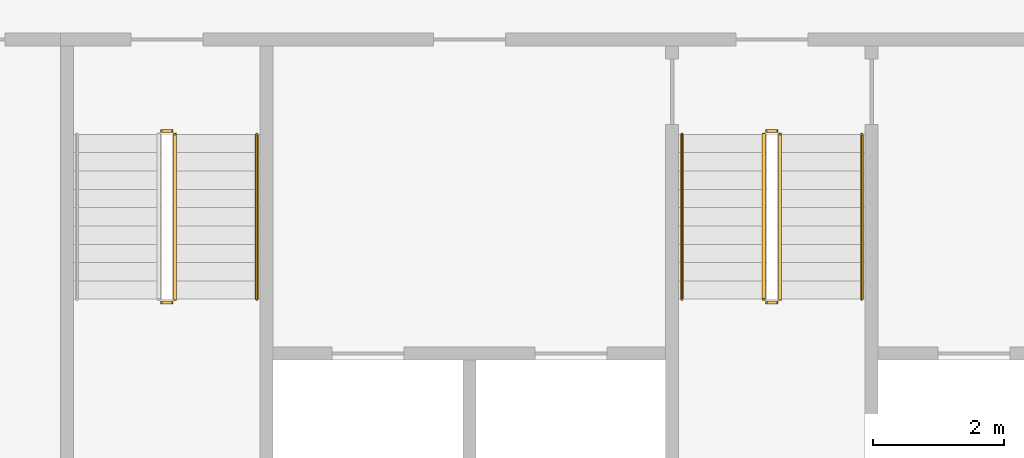
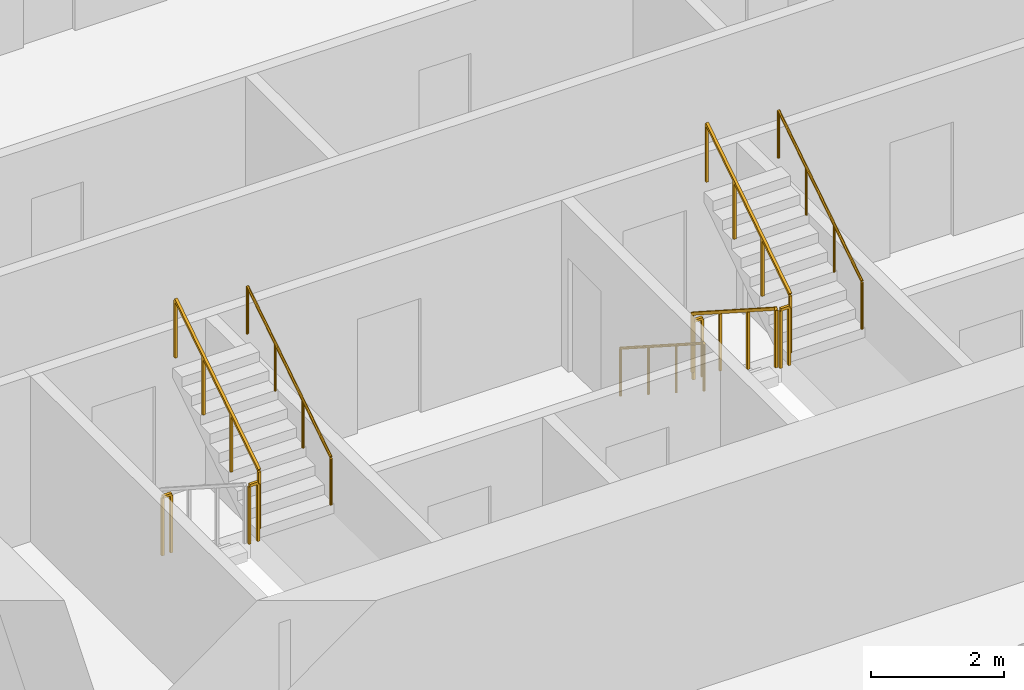
# One storey, part 12 of 14: 10 railings.
"""IFC4 building model written with IfcOpenShell, lengths in metres."""

from ifc_helpers import new_model, si_unit, direction, frame, origin, origin_2d, place, context, subcontext, project, spatial, rectangle, circle, extrude, material, type_object, element, save


model = new_model("IFC4")

# Units and contexts
model_context = context("Model", 3, precision=1e-05, world=origin(), true_north=direction((0.0, 1.0)))
body_context = subcontext(model_context, "Body", "Model", "MODEL_VIEW")
ifc_project = project(units=[si_unit("LENGTHUNIT", "METRE"), si_unit("AREAUNIT", "SQUARE_METRE"), si_unit("VOLUMEUNIT", "CUBIC_METRE"), si_unit("PLANEANGLEUNIT", "RADIAN"), si_unit("MASSUNIT", "GRAM", prefix="KILO")], contexts=[model_context])

# Site, building, storey
site_placement = place(None, origin())
site = spatial("IfcSite", under=ifc_project, at=site_placement, CompositionType="ELEMENT")
building_placement = place(site_placement, origin())
building = spatial("IfcBuilding", under=site, at=building_placement, Name="Mangrove Gate Tower", CompositionType="ELEMENT")
storey_placement = place(building_placement, frame((0.0, 0.0, 159.89990234375)))
storey = spatial("IfcBuildingStorey", under=building, at=storey_placement, Name="L40", CompositionType="ELEMENT", Elevation=159.89990234375)

# Railings
ifc_material_1 = material(Name="Stainless steel 316", Category="steel")
railing_type_1 = type_object("IfcRailingType", Name="Core stair guard 1100", PredefinedType="GUARDRAIL", material=ifc_material_1)
railing_1_placement = place(storey_placement, frame((-9.35009765625, -7.219970703125, 1.800048828125)))
element("IfcRailing", 1, at=railing_1_placement, inside=storey, type_object=railing_type_1, Name="L40 ST1 stair guard 2", PredefinedType="GUARDRAIL", context=body_context, shape_type="SweptSolid", body=[
    extrude(rectangle(XDim=0.048095703125, YDim=0.048095703125, at=origin_2d()), frame((0.0, 0.0, 1.076171875), z_axis=(1.0, 0.0, 0.0), x_axis=(0.0, 1.0, 0.0)), (0.0, 0.0, 1.0), 0.150146484375),
    extrude(rectangle(XDim=0.0419921875, YDim=0.0419921875, at=origin_2d()), origin(), (0.0, 0.0, 1.0), 1.052001953125),
    extrude(rectangle(XDim=0.0419921875, YDim=0.0419921875, at=origin_2d()), frame((0.150146484375, 0.0, 0.0)), (0.0, 0.0, 1.0), 1.052001953125),
])
railing_2_placement = place(storey_placement, frame((-9.14990234375, -7.169921875, 1.97998046875)))
element("IfcRailing", 2, at=railing_2_placement, inside=storey, type_object=railing_type_1, Name="L40 ST1 stair guard 3", PredefinedType="GUARDRAIL", context=body_context, shape_type="SweptSolid", body=[
    extrude(rectangle(XDim=0.048095703125, YDim=0.048095703125, at=origin_2d()), frame((0.0, 0.0, 1.076171875), z_axis=(0.0, 0.841162588446, 0.540782303519), x_axis=(-1.0, 0.0, 0.0)), (0.0, 0.0, 1.0), 2.995849609375),
    extrude(rectangle(XDim=0.0419921875, YDim=0.0419921875, at=origin_2d()), origin(), (0.0, 0.0, 1.0), 1.052001953125),
    extrude(rectangle(XDim=0.0419921875, YDim=0.0419921875, at=origin_2d()), frame((0.0, 0.840087890625, 0.5400390625)), (0.0, 0.0, 1.0), 1.052001953125),
    extrude(rectangle(XDim=0.0419921875, YDim=0.0419921875, at=origin_2d()), frame((0.0, 1.679931640625, 1.080078125)), (0.0, 0.0, 1.0), 1.052001953125),
    extrude(rectangle(XDim=0.0419921875, YDim=0.0419921875, at=origin_2d()), frame((0.0, 2.52001953125, 1.6201171875)), (0.0, 0.0, 1.0), 1.052001953125),
])
railing_3_placement = place(storey_placement, frame((-9.35009765625, -4.60009765625, 0.0)))
element("IfcRailing", 3, at=railing_3_placement, inside=storey, type_object=railing_type_1, Name="L40 ST1 stair guard 4", PredefinedType="GUARDRAIL", context=body_context, shape_type="SweptSolid", body=[
    extrude(rectangle(XDim=0.048095703125, YDim=0.048095703125, at=origin_2d()), frame((0.0, 0.0, 1.076171875), z_axis=(1.0, 0.0, 0.0), x_axis=(0.0, 1.0, 0.0)), (0.0, 0.0, 1.0), 0.150146484375),
    extrude(rectangle(XDim=0.0419921875, YDim=0.0419921875, at=origin_2d()), origin(), (0.0, 0.0, 1.0), 1.052001953125),
    extrude(rectangle(XDim=0.0419921875, YDim=0.0419921875, at=origin_2d()), frame((0.150146484375, 0.0, 0.0)), (0.0, 0.0, 1.0), 1.052001953125),
])
railing_4_placement = place(storey_placement, frame((-0.14990234375, -4.64990234375, 0.18017578125)))
element("IfcRailing", 4, at=railing_4_placement, inside=storey, type_object=railing_type_1, Name="L40 ST2 stair guard 1", PredefinedType="GUARDRAIL", context=body_context, shape_type="SweptSolid", body=[
    extrude(rectangle(XDim=0.048095703125, YDim=0.048095703125, at=origin_2d()), frame((0.0, 0.0, 1.076171875), z_axis=(0.0, -0.841199657755, 0.540724639528), x_axis=(1.0, 0.0, 0.0)), (0.0, 0.0, 1.0), 2.995849609375),
    extrude(rectangle(XDim=0.0419921875, YDim=0.0419921875, at=origin_2d()), origin(), (0.0, 0.0, 1.0), 1.052001953125),
    extrude(rectangle(XDim=0.0419921875, YDim=0.0419921875, at=origin_2d()), frame((0.0, -0.840087890625, 0.5400390625)), (0.0, 0.0, 1.0), 1.052001953125),
    extrude(rectangle(XDim=0.0419921875, YDim=0.0419921875, at=origin_2d()), frame((0.0, -1.679931640625, 1.079833984375)), (0.0, 0.0, 1.0), 1.052001953125),
    extrude(rectangle(XDim=0.0419921875, YDim=0.0419921875, at=origin_2d()), frame((0.0, -2.52001953125, 1.619873046875)), (0.0, 0.0, 1.0), 1.052001953125),
])
railing_5_placement = place(storey_placement, frame((-0.10009765625, -7.219970703125, 1.800048828125)))
element("IfcRailing", 5, at=railing_5_placement, inside=storey, type_object=railing_type_1, Name="L40 ST2 stair guard 2", PredefinedType="GUARDRAIL", context=body_context, shape_type="SweptSolid", body=[
    extrude(rectangle(XDim=0.048095703125, YDim=0.048095703125, at=origin_2d()), frame((0.0, 0.0, 1.076171875), z_axis=(1.0, 0.0, 0.0), x_axis=(0.0, 1.0, 0.0)), (0.0, 0.0, 1.0), 0.150146484375),
    extrude(rectangle(XDim=0.0419921875, YDim=0.0419921875, at=origin_2d()), origin(), (0.0, 0.0, 1.0), 1.052001953125),
    extrude(rectangle(XDim=0.0419921875, YDim=0.0419921875, at=origin_2d()), frame((0.150146484375, 0.0, 0.0)), (0.0, 0.0, 1.0), 1.052001953125),
])
railing_6_placement = place(storey_placement, frame((0.10009765625, -7.169921875, 1.97998046875)))
element("IfcRailing", 6, at=railing_6_placement, inside=storey, type_object=railing_type_1, Name="L40 ST2 stair guard 3", PredefinedType="GUARDRAIL", context=body_context, shape_type="SweptSolid", body=[
    extrude(rectangle(XDim=0.048095703125, YDim=0.048095703125, at=origin_2d()), frame((0.0, 0.0, 1.076171875), z_axis=(0.0, 0.841162588446, 0.540782303519), x_axis=(-1.0, 0.0, 0.0)), (0.0, 0.0, 1.0), 2.995849609375),
    extrude(rectangle(XDim=0.0419921875, YDim=0.0419921875, at=origin_2d()), origin(), (0.0, 0.0, 1.0), 1.052001953125),
    extrude(rectangle(XDim=0.0419921875, YDim=0.0419921875, at=origin_2d()), frame((0.0, 0.840087890625, 0.5400390625)), (0.0, 0.0, 1.0), 1.052001953125),
    extrude(rectangle(XDim=0.0419921875, YDim=0.0419921875, at=origin_2d()), frame((0.0, 1.679931640625, 1.080078125)), (0.0, 0.0, 1.0), 1.052001953125),
    extrude(rectangle(XDim=0.0419921875, YDim=0.0419921875, at=origin_2d()), frame((0.0, 2.52001953125, 1.6201171875)), (0.0, 0.0, 1.0), 1.052001953125),
])
railing_7_placement = place(storey_placement, frame((-0.10009765625, -4.60009765625, 0.0)))
element("IfcRailing", 7, at=railing_7_placement, inside=storey, type_object=railing_type_1, Name="L40 ST2 stair guard 4", PredefinedType="GUARDRAIL", context=body_context, shape_type="SweptSolid", body=[
    extrude(rectangle(XDim=0.048095703125, YDim=0.048095703125, at=origin_2d()), frame((0.0, 0.0, 1.076171875), z_axis=(1.0, 0.0, 0.0), x_axis=(0.0, 1.0, 0.0)), (0.0, 0.0, 1.0), 0.150146484375),
    extrude(rectangle(XDim=0.0419921875, YDim=0.0419921875, at=origin_2d()), origin(), (0.0, 0.0, 1.0), 1.052001953125),
    extrude(rectangle(XDim=0.0419921875, YDim=0.0419921875, at=origin_2d()), frame((0.150146484375, 0.0, 0.0)), (0.0, 0.0, 1.0), 1.052001953125),
])
ifc_material_2 = material(Name="Stainless steel 316", Category="steel")
railing_type_2 = type_object("IfcRailingType", Name="Core stair handrail 900", PredefinedType="HANDRAIL", material=ifc_material_2)
railing_8_placement = place(storey_placement, frame((-7.89990234375, -7.169921875, 1.97998046875)))
element("IfcRailing", 8, at=railing_8_placement, inside=storey, type_object=railing_type_2, Name="L40 ST1 stair handrail 2", PredefinedType="HANDRAIL", context=body_context, shape_type="SweptSolid", body=[
    extrude(circle(Radius=0.02392578125, at=origin_2d()), frame((0.0, 0.0, 0.8759765625), z_axis=(0.0, 0.841162588446, 0.540782303519), x_axis=(-1.0, 0.0, 0.0)), (0.0, 0.0, 1.0), 2.995849609375),
    extrude(circle(Radius=0.02099609375, at=origin_2d()), origin(), (0.0, 0.0, 1.0), 0.851806640625),
    extrude(circle(Radius=0.02099609375, at=origin_2d()), frame((0.0, 0.840087890625, 0.5400390625)), (0.0, 0.0, 1.0), 0.851806640625),
    extrude(circle(Radius=0.02099609375, at=origin_2d()), frame((0.0, 1.679931640625, 1.080078125)), (0.0, 0.0, 1.0), 0.851806640625),
    extrude(circle(Radius=0.02099609375, at=origin_2d()), frame((0.0, 2.52001953125, 1.6201171875)), (0.0, 0.0, 1.0), 0.851806640625),
])
railing_9_placement = place(storey_placement, frame((-1.39990234375, -4.64990234375, 0.18017578125)))
element("IfcRailing", 9, at=railing_9_placement, inside=storey, type_object=railing_type_2, Name="L40 ST2 stair handrail 1", PredefinedType="HANDRAIL", context=body_context, shape_type="SweptSolid", body=[
    extrude(circle(Radius=0.02392578125, at=origin_2d()), frame((0.0, 0.0, 0.8759765625), z_axis=(0.0, -0.841199657755, 0.540724639528), x_axis=(1.0, 0.0, 0.0)), (0.0, 0.0, 1.0), 2.995849609375),
    extrude(circle(Radius=0.02099609375, at=origin_2d()), origin(), (0.0, 0.0, 1.0), 0.851806640625),
    extrude(circle(Radius=0.02099609375, at=origin_2d()), frame((0.0, -0.840087890625, 0.5400390625)), (0.0, 0.0, 1.0), 0.851806640625),
    extrude(circle(Radius=0.02099609375, at=origin_2d()), frame((0.0, -1.679931640625, 1.079833984375)), (0.0, 0.0, 1.0), 0.851806640625),
    extrude(circle(Radius=0.02099609375, at=origin_2d()), frame((0.0, -2.52001953125, 1.619873046875)), (0.0, 0.0, 1.0), 0.851806640625),
])
railing_10_placement = place(storey_placement, frame((1.35009765625, -7.169921875, 1.97998046875)))
element("IfcRailing", 10, at=railing_10_placement, inside=storey, type_object=railing_type_2, Name="L40 ST2 stair handrail 2", PredefinedType="HANDRAIL", context=body_context, shape_type="SweptSolid", body=[
    extrude(circle(Radius=0.02392578125, at=origin_2d()), frame((0.0, 0.0, 0.8759765625), z_axis=(0.0, 0.841162588446, 0.540782303519), x_axis=(-1.0, 0.0, 0.0)), (0.0, 0.0, 1.0), 2.995849609375),
    extrude(circle(Radius=0.02099609375, at=origin_2d()), origin(), (0.0, 0.0, 1.0), 0.851806640625),
    extrude(circle(Radius=0.02099609375, at=origin_2d()), frame((0.0, 0.840087890625, 0.5400390625)), (0.0, 0.0, 1.0), 0.851806640625),
    extrude(circle(Radius=0.02099609375, at=origin_2d()), frame((0.0, 1.679931640625, 1.080078125)), (0.0, 0.0, 1.0), 0.851806640625),
    extrude(circle(Radius=0.02099609375, at=origin_2d()), frame((0.0, 2.52001953125, 1.6201171875)), (0.0, 0.0, 1.0), 0.851806640625),
])

save(model, "model.ifc")
